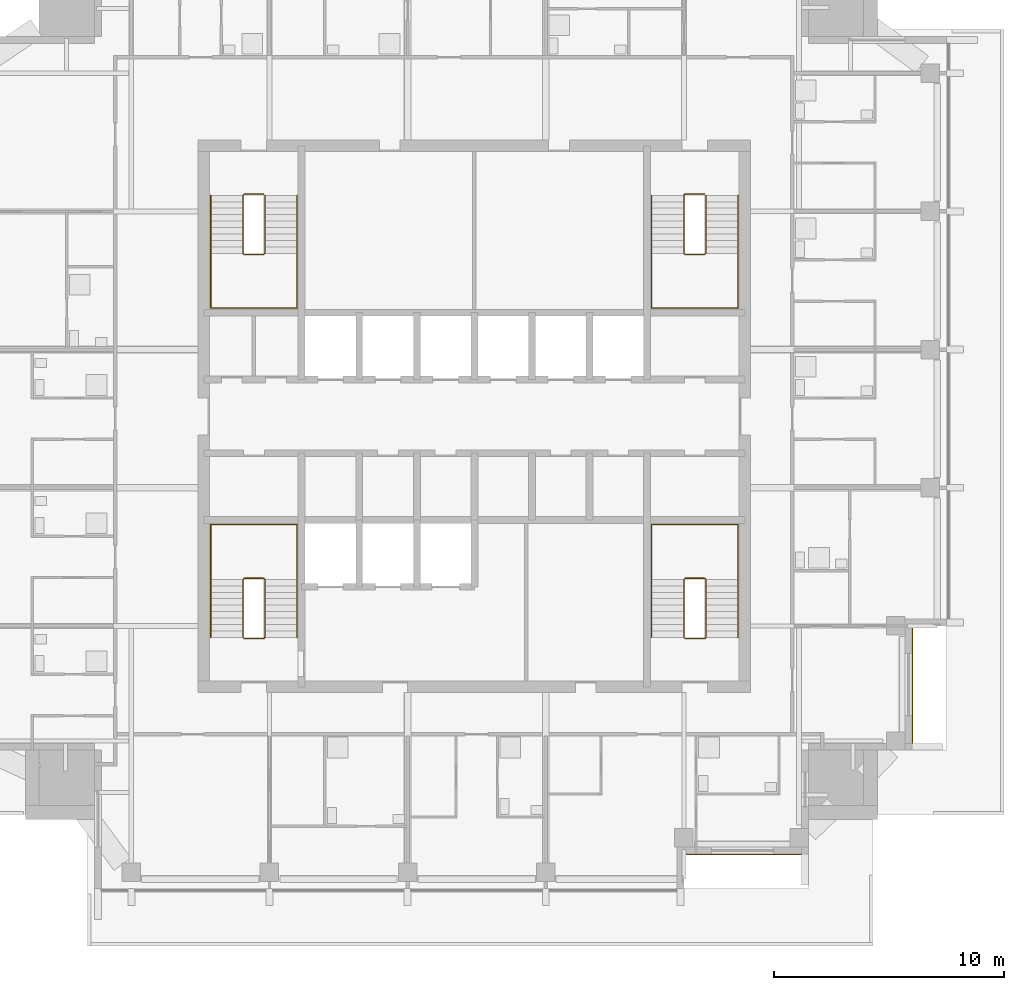
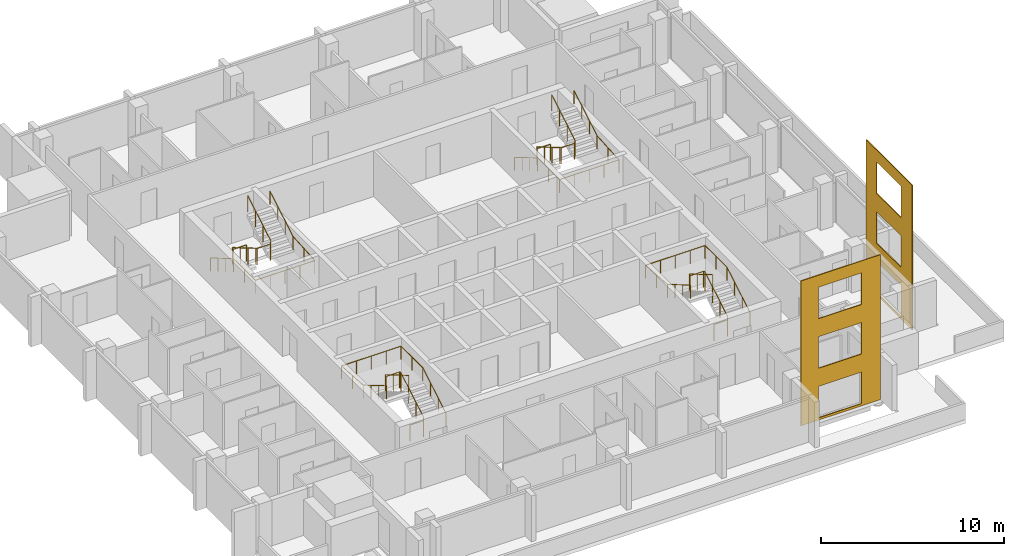
# One storey, part 10 of 11: 8 railings, 2 coverings.
"""IFC4 building model written with IfcOpenShell, lengths in metres."""

from ifc_helpers import new_model, si_unit, direction, frame, origin, origin_2d, place, context, subcontext, project, spatial, polyline, circle, outline, extrude, material, layer, layer_set, type_object, element, save


model = new_model("IFC4")

# Units and contexts
model_context = context("Model", 3, precision=1e-05, world=origin(), true_north=direction((0.0, 1.0)))
body_context = subcontext(model_context, "Body", "Model", "MODEL_VIEW")
ifc_project = project(units=[si_unit("LENGTHUNIT", "METRE"), si_unit("AREAUNIT", "SQUARE_METRE"), si_unit("VOLUMEUNIT", "CUBIC_METRE"), si_unit("PLANEANGLEUNIT", "RADIAN"), si_unit("MASSUNIT", "GRAM", prefix="KILO")], contexts=[model_context])

# Site, building, storey
site_placement = place(None, origin())
site = spatial("IfcSite", under=ifc_project, at=site_placement, CompositionType="ELEMENT")
building_placement = place(site_placement, origin())
building = spatial("IfcBuilding", under=site, at=building_placement, Name="Amberfall Residences", CompositionType="ELEMENT")
storey_placement = place(building_placement, frame((0.0, 0.0, 238.89990234375)))
storey = spatial("IfcBuildingStorey", under=building, at=storey_placement, Name="L63", CompositionType="ELEMENT", Elevation=238.89990234375)

# Coverings
ifc_material_1 = material(Name="Pale limestone cladding", Category="masonry")
ifc_layer = layer(ifc_material_1, 0.050048828125)
ifc_layer_set = layer_set([ifc_layer], Name="Limestone fascia 50")
covering_type = type_object("IfcCoveringType", Name="Limestone fascia 50", PredefinedType="CLADDING", material=ifc_layer_set)
covering_1_placement = place(storey_placement, frame((83.68994140625, 26.5, 9.650146484375), z_axis=(0.0, 1.0, 0.0), x_axis=(1.0, 0.0, 0.0)))
element("IfcCovering", 1, at=covering_1_placement, inside=storey, type_object=covering_type, Name="Pale limestone cladding L63-L65 S", PredefinedType="CLADDING", context=body_context, shape_type="SweptSolid", body=[
    extrude(outline(polyline([(0.0, 0.0), (5.010009765625, 0.0), (5.010009765625, 9.650146484375), (0.0, 9.650146484375), (0.0, 0.0)]), holes=[polyline([(1.110107421875, 7.400146484375), (3.81005859375, 7.400146484375), (3.81005859375, 9.5), (1.110107421875, 9.5), (1.110107421875, 7.400146484375)]), polyline([(1.110107421875, 4.10009765625), (3.81005859375, 4.10009765625), (3.81005859375, 6.199951171875), (1.110107421875, 6.199951171875), (1.110107421875, 4.10009765625)]), polyline([(1.110107421875, 0.800048828125), (3.81005859375, 0.800048828125), (3.81005859375, 2.900146484375), (1.110107421875, 2.900146484375), (1.110107421875, 0.800048828125)])]), origin(), (0.0, 0.0, -1.0), 0.050048828125),
])
covering_2_placement = place(storey_placement, frame((93.5, 31.300048828125, 9.650146484375), z_axis=(-1.0, 0.0, 0.0), x_axis=(0.0, 1.0, 0.0)))
element("IfcCovering", 2, at=covering_2_placement, inside=storey, type_object=covering_type, Name="Pale limestone cladding L63-L65 E", PredefinedType="CLADDING", context=body_context, shape_type="SweptSolid", body=[
    extrude(outline(polyline([(0.0, 0.0), (5.010009765625, 0.0), (5.010009765625, 9.650146484375), (0.0, 9.650146484375), (0.0, 0.0)]), holes=[polyline([(1.199951171875, 7.400146484375), (3.89990234375, 7.400146484375), (3.89990234375, 9.5), (1.199951171875, 9.5), (1.199951171875, 7.400146484375)]), polyline([(1.199951171875, 4.10009765625), (3.89990234375, 4.10009765625), (3.89990234375, 6.199951171875), (1.199951171875, 6.199951171875), (1.199951171875, 4.10009765625)]), polyline([(1.199951171875, 0.800048828125), (3.89990234375, 0.800048828125), (3.89990234375, 2.900146484375), (1.199951171875, 2.900146484375), (1.199951171875, 0.800048828125)])]), origin(), (0.0, 0.0, -1.0), 0.050048828125),
])

# Railings
ifc_material_2 = material(Name="Stainless steel 316", Category="steel")
railing_type_1 = type_object("IfcRailingType", Name="Stair guard 1100", PredefinedType="GUARDRAIL", material=ifc_material_2)
railing_1_placement = place(storey_placement, frame((64.5, 35.85009765625, 0.0)))
element("IfcRailing", 3, at=railing_1_placement, inside=storey, type_object=railing_type_1, Name="L63 stair 1 guard", PredefinedType="GUARDRAIL", context=body_context, shape_type="SweptSolid", body=[
    extrude(circle(Radius=0.02392578125, at=origin_2d()), frame((0.0, 0.0, 1.076171875), z_axis=(1.0, 0.0, 0.0), x_axis=(0.0, 1.0, 0.0)), (0.0, 0.0, 1.0), 0.85009765625),
    extrude(circle(Radius=0.02392578125, at=origin_2d()), frame((0.85009765625, 0.0, 1.076171875), z_axis=(0.27755538755, 0.27755538755, 0.919742362667), x_axis=(-0.707106781187, 0.707106781187, 0.0)), (0.0, 0.0, 1.0), 0.179443359375),
    extrude(circle(Radius=0.02392578125, at=origin_2d()), frame((0.89990234375, 0.0498046875, 1.2412109375), z_axis=(0.0, 0.86152411907, 0.507716645641), x_axis=(-1.0, 0.0, 0.0)), (0.0, 0.0, 1.0), 2.925048828125),
    extrude(circle(Radius=0.02392578125, at=origin_2d()), frame((0.89990234375, 2.56982421875, 2.72607421875), z_axis=(-0.705375805398, 0.708833529934, 0.0), x_axis=(-0.708833529934, -0.705375805398, 0.0)), (0.0, 0.0, 1.0), 0.070556640625),
    extrude(circle(Radius=0.02392578125, at=origin_2d()), frame((0.85009765625, 2.619873046875, 2.72607421875), z_axis=(-1.0, 0.0, 0.0), x_axis=(0.0, -1.0, 0.0)), (0.0, 0.0, 1.0), 0.85009765625),
    extrude(circle(Radius=0.02392578125, at=origin_2d()), frame((0.0, 2.619873046875, 2.72607421875), z_axis=(-0.278705021027, -0.278705021027, 0.919046801044), x_axis=(0.707106781187, -0.707106781187, 0.0)), (0.0, 0.0, 1.0), 0.1796875),
    extrude(circle(Radius=0.02392578125, at=origin_2d()), frame((-0.050048828125, 2.56982421875, 2.89111328125), z_axis=(0.0, -0.861560626758, 0.507654692109), x_axis=(1.0, 0.0, 0.0)), (0.0, 0.0, 1.0), 2.925048828125),
    extrude(circle(Radius=0.02099609375, at=origin_2d()), origin(), (0.0, 0.0, 1.0), 1.052001953125),
    extrude(circle(Radius=0.02099609375, at=origin_2d()), frame((0.85009765625, 0.0, 0.0)), (0.0, 0.0, 1.0), 1.052001953125),
    extrude(circle(Radius=0.02099609375, at=origin_2d()), frame((0.89990234375, 0.0498046875, 0.1650390625)), (0.0, 0.0, 1.0), 1.052001953125),
    extrude(circle(Radius=0.02099609375, at=origin_2d()), frame((0.89990234375, 0.889892578125, 0.66015625)), (0.0, 0.0, 1.0), 1.052001953125),
    extrude(circle(Radius=0.02099609375, at=origin_2d()), frame((0.89990234375, 1.729736328125, 1.155029296875)), (0.0, 0.0, 1.0), 1.052001953125),
    extrude(circle(Radius=0.02099609375, at=origin_2d()), frame((0.89990234375, 2.56982421875, 1.650146484375)), (0.0, 0.0, 1.0), 1.052001953125),
    extrude(circle(Radius=0.02099609375, at=origin_2d()), frame((0.85009765625, 2.619873046875, 1.650146484375)), (0.0, 0.0, 1.0), 1.052001953125),
    extrude(circle(Radius=0.02099609375, at=origin_2d()), frame((0.0, 2.619873046875, 1.650146484375)), (0.0, 0.0, 1.0), 1.052001953125),
    extrude(circle(Radius=0.02099609375, at=origin_2d()), frame((-0.050048828125, 2.56982421875, 1.815185546875)), (0.0, 0.0, 1.0), 1.052001953125),
    extrude(circle(Radius=0.02099609375, at=origin_2d()), frame((-0.050048828125, 1.729736328125, 2.31005859375)), (0.0, 0.0, 1.0), 1.052001953125),
    extrude(circle(Radius=0.02099609375, at=origin_2d()), frame((-0.050048828125, 0.889892578125, 2.80517578125)), (0.0, 0.0, 1.0), 1.052001953125),
    extrude(circle(Radius=0.02099609375, at=origin_2d()), frame((-0.050048828125, 0.0498046875, 3.300048828125)), (0.0, 0.0, 1.0), 1.052001953125),
])
railing_2_placement = place(storey_placement, frame((83.64990234375, 35.85009765625, 0.0)))
element("IfcRailing", 4, at=railing_2_placement, inside=storey, type_object=railing_type_1, Name="L63 stair 2 guard", PredefinedType="GUARDRAIL", context=body_context, shape_type="SweptSolid", body=[
    extrude(circle(Radius=0.02392578125, at=origin_2d()), frame((0.0, 0.0, 1.076171875), z_axis=(1.0, 0.0, 0.0), x_axis=(0.0, 1.0, 0.0)), (0.0, 0.0, 1.0), 0.85009765625),
    extrude(circle(Radius=0.02392578125, at=origin_2d()), frame((0.85009765625, 0.0, 1.076171875), z_axis=(0.278810427259, 0.277450376394, 0.919394384522), x_axis=(-0.705375805398, 0.708833529934, 0.0)), (0.0, 0.0, 1.0), 0.179443359375),
    extrude(circle(Radius=0.02392578125, at=origin_2d()), frame((0.900146484375, 0.0498046875, 1.2412109375), z_axis=(0.0, 0.86152411907, 0.507716645641), x_axis=(-1.0, 0.0, 0.0)), (0.0, 0.0, 1.0), 2.925048828125),
    extrude(circle(Radius=0.02392578125, at=origin_2d()), frame((0.900146484375, 2.56982421875, 2.72607421875), z_axis=(-0.707106781187, 0.707106781187, 0.0), x_axis=(-0.707106781187, -0.707106781187, 0.0)), (0.0, 0.0, 1.0), 0.07080078125),
    extrude(circle(Radius=0.02392578125, at=origin_2d()), frame((0.85009765625, 2.619873046875, 2.72607421875), z_axis=(-1.0, 0.0, 0.0), x_axis=(0.0, -1.0, 0.0)), (0.0, 0.0, 1.0), 0.85009765625),
    extrude(circle(Radius=0.02392578125, at=origin_2d()), frame((0.0, 2.619873046875, 2.72607421875), z_axis=(-0.277450376394, -0.278810427259, 0.919394384522), x_axis=(0.708833529934, -0.705375805398, 0.0)), (0.0, 0.0, 1.0), 0.179443359375),
    extrude(circle(Radius=0.02392578125, at=origin_2d()), frame((-0.0498046875, 2.56982421875, 2.89111328125), z_axis=(0.0, -0.861560626758, 0.507654692109), x_axis=(1.0, 0.0, 0.0)), (0.0, 0.0, 1.0), 2.925048828125),
    extrude(circle(Radius=0.02099609375, at=origin_2d()), origin(), (0.0, 0.0, 1.0), 1.052001953125),
    extrude(circle(Radius=0.02099609375, at=origin_2d()), frame((0.85009765625, 0.0, 0.0)), (0.0, 0.0, 1.0), 1.052001953125),
    extrude(circle(Radius=0.02099609375, at=origin_2d()), frame((0.900146484375, 0.0498046875, 0.1650390625)), (0.0, 0.0, 1.0), 1.052001953125),
    extrude(circle(Radius=0.02099609375, at=origin_2d()), frame((0.900146484375, 0.889892578125, 0.66015625)), (0.0, 0.0, 1.0), 1.052001953125),
    extrude(circle(Radius=0.02099609375, at=origin_2d()), frame((0.900146484375, 1.729736328125, 1.155029296875)), (0.0, 0.0, 1.0), 1.052001953125),
    extrude(circle(Radius=0.02099609375, at=origin_2d()), frame((0.900146484375, 2.56982421875, 1.650146484375)), (0.0, 0.0, 1.0), 1.052001953125),
    extrude(circle(Radius=0.02099609375, at=origin_2d()), frame((0.85009765625, 2.619873046875, 1.650146484375)), (0.0, 0.0, 1.0), 1.052001953125),
    extrude(circle(Radius=0.02099609375, at=origin_2d()), frame((0.0, 2.619873046875, 1.650146484375)), (0.0, 0.0, 1.0), 1.052001953125),
    extrude(circle(Radius=0.02099609375, at=origin_2d()), frame((-0.0498046875, 2.56982421875, 1.815185546875)), (0.0, 0.0, 1.0), 1.052001953125),
    extrude(circle(Radius=0.02099609375, at=origin_2d()), frame((-0.0498046875, 1.729736328125, 2.31005859375)), (0.0, 0.0, 1.0), 1.052001953125),
    extrude(circle(Radius=0.02099609375, at=origin_2d()), frame((-0.0498046875, 0.889892578125, 2.80517578125)), (0.0, 0.0, 1.0), 1.052001953125),
    extrude(circle(Radius=0.02099609375, at=origin_2d()), frame((-0.0498046875, 0.0498046875, 3.300048828125)), (0.0, 0.0, 1.0), 1.052001953125),
])
railing_3_placement = place(storey_placement, frame((84.5, 55.14990234375, 0.0)))
element("IfcRailing", 5, at=railing_3_placement, inside=storey, type_object=railing_type_1, Name="L63 stair 3 guard", PredefinedType="GUARDRAIL", context=body_context, shape_type="SweptSolid", body=[
    extrude(circle(Radius=0.02392578125, at=origin_2d()), frame((0.0, 0.0, 1.076171875), z_axis=(-1.0, 0.0, 0.0), x_axis=(0.0, -1.0, 0.0)), (0.0, 0.0, 1.0), 0.85009765625),
    extrude(circle(Radius=0.02392578125, at=origin_2d()), frame((-0.85009765625, 0.0, 1.076171875), z_axis=(-0.27755538755, -0.27755538755, 0.919742362667), x_axis=(0.707106781187, -0.707106781187, 0.0)), (0.0, 0.0, 1.0), 0.179443359375),
    extrude(circle(Radius=0.02392578125, at=origin_2d()), frame((-0.89990234375, -0.0498046875, 1.2412109375), z_axis=(0.0, -0.86152411907, 0.507716645641), x_axis=(1.0, 0.0, 0.0)), (0.0, 0.0, 1.0), 2.925048828125),
    extrude(circle(Radius=0.02392578125, at=origin_2d()), frame((-0.89990234375, -2.56982421875, 2.72607421875), z_axis=(0.705375805398, -0.708833529934, 0.0), x_axis=(0.708833529934, 0.705375805398, 0.0)), (0.0, 0.0, 1.0), 0.070556640625),
    extrude(circle(Radius=0.02392578125, at=origin_2d()), frame((-0.85009765625, -2.619873046875, 2.72607421875), z_axis=(1.0, 0.0, 0.0), x_axis=(0.0, 1.0, 0.0)), (0.0, 0.0, 1.0), 0.85009765625),
    extrude(circle(Radius=0.02392578125, at=origin_2d()), frame((0.0, -2.619873046875, 2.72607421875), z_axis=(0.278705021027, 0.278705021027, 0.919046801044), x_axis=(-0.707106781187, 0.707106781187, 0.0)), (0.0, 0.0, 1.0), 0.1796875),
    extrude(circle(Radius=0.02392578125, at=origin_2d()), frame((0.050048828125, -2.56982421875, 2.89111328125), z_axis=(0.0, 0.861560626758, 0.507654692109), x_axis=(-1.0, 0.0, 0.0)), (0.0, 0.0, 1.0), 2.925048828125),
    extrude(circle(Radius=0.02099609375, at=origin_2d()), origin(), (0.0, 0.0, 1.0), 1.052001953125),
    extrude(circle(Radius=0.02099609375, at=origin_2d()), frame((-0.85009765625, 0.0, 0.0)), (0.0, 0.0, 1.0), 1.052001953125),
    extrude(circle(Radius=0.02099609375, at=origin_2d()), frame((-0.89990234375, -0.0498046875, 0.1650390625)), (0.0, 0.0, 1.0), 1.052001953125),
    extrude(circle(Radius=0.02099609375, at=origin_2d()), frame((-0.89990234375, -0.889892578125, 0.66015625)), (0.0, 0.0, 1.0), 1.052001953125),
    extrude(circle(Radius=0.02099609375, at=origin_2d()), frame((-0.89990234375, -1.729736328125, 1.155029296875)), (0.0, 0.0, 1.0), 1.052001953125),
    extrude(circle(Radius=0.02099609375, at=origin_2d()), frame((-0.89990234375, -2.56982421875, 1.650146484375)), (0.0, 0.0, 1.0), 1.052001953125),
    extrude(circle(Radius=0.02099609375, at=origin_2d()), frame((-0.85009765625, -2.619873046875, 1.650146484375)), (0.0, 0.0, 1.0), 1.052001953125),
    extrude(circle(Radius=0.02099609375, at=origin_2d()), frame((0.0, -2.619873046875, 1.650146484375)), (0.0, 0.0, 1.0), 1.052001953125),
    extrude(circle(Radius=0.02099609375, at=origin_2d()), frame((0.050048828125, -2.56982421875, 1.815185546875)), (0.0, 0.0, 1.0), 1.052001953125),
    extrude(circle(Radius=0.02099609375, at=origin_2d()), frame((0.050048828125, -1.729736328125, 2.31005859375)), (0.0, 0.0, 1.0), 1.052001953125),
    extrude(circle(Radius=0.02099609375, at=origin_2d()), frame((0.050048828125, -0.889892578125, 2.80517578125)), (0.0, 0.0, 1.0), 1.052001953125),
    extrude(circle(Radius=0.02099609375, at=origin_2d()), frame((0.050048828125, -0.0498046875, 3.300048828125)), (0.0, 0.0, 1.0), 1.052001953125),
])
railing_4_placement = place(storey_placement, frame((65.35009765625, 55.14990234375, 0.0)))
element("IfcRailing", 6, at=railing_4_placement, inside=storey, type_object=railing_type_1, Name="L63 stair 4 guard", PredefinedType="GUARDRAIL", context=body_context, shape_type="SweptSolid", body=[
    extrude(circle(Radius=0.02392578125, at=origin_2d()), frame((0.0, 0.0, 1.076171875), z_axis=(-1.0, 0.0, 0.0), x_axis=(0.0, -1.0, 0.0)), (0.0, 0.0, 1.0), 0.85009765625),
    extrude(circle(Radius=0.02392578125, at=origin_2d()), frame((-0.85009765625, 0.0, 1.076171875), z_axis=(-0.278810427259, -0.277450376394, 0.919394384522), x_axis=(0.705375805398, -0.708833529934, 0.0)), (0.0, 0.0, 1.0), 0.179443359375),
    extrude(circle(Radius=0.02392578125, at=origin_2d()), frame((-0.900146484375, -0.0498046875, 1.2412109375), z_axis=(0.0, -0.86152411907, 0.507716645641), x_axis=(1.0, 0.0, 0.0)), (0.0, 0.0, 1.0), 2.925048828125),
    extrude(circle(Radius=0.02392578125, at=origin_2d()), frame((-0.900146484375, -2.56982421875, 2.72607421875), z_axis=(0.707106781187, -0.707106781187, 0.0), x_axis=(0.707106781187, 0.707106781187, 0.0)), (0.0, 0.0, 1.0), 0.07080078125),
    extrude(circle(Radius=0.02392578125, at=origin_2d()), frame((-0.85009765625, -2.619873046875, 2.72607421875), z_axis=(1.0, 0.0, 0.0), x_axis=(0.0, 1.0, 0.0)), (0.0, 0.0, 1.0), 0.85009765625),
    extrude(circle(Radius=0.02392578125, at=origin_2d()), frame((0.0, -2.619873046875, 2.72607421875), z_axis=(0.277450376394, 0.278810427259, 0.919394384522), x_axis=(-0.708833529934, 0.705375805398, 0.0)), (0.0, 0.0, 1.0), 0.179443359375),
    extrude(circle(Radius=0.02392578125, at=origin_2d()), frame((0.0498046875, -2.56982421875, 2.89111328125), z_axis=(0.0, 0.861560626758, 0.507654692109), x_axis=(-1.0, 0.0, 0.0)), (0.0, 0.0, 1.0), 2.925048828125),
    extrude(circle(Radius=0.02099609375, at=origin_2d()), origin(), (0.0, 0.0, 1.0), 1.052001953125),
    extrude(circle(Radius=0.02099609375, at=origin_2d()), frame((-0.85009765625, 0.0, 0.0)), (0.0, 0.0, 1.0), 1.052001953125),
    extrude(circle(Radius=0.02099609375, at=origin_2d()), frame((-0.900146484375, -0.0498046875, 0.1650390625)), (0.0, 0.0, 1.0), 1.052001953125),
    extrude(circle(Radius=0.02099609375, at=origin_2d()), frame((-0.900146484375, -0.889892578125, 0.66015625)), (0.0, 0.0, 1.0), 1.052001953125),
    extrude(circle(Radius=0.02099609375, at=origin_2d()), frame((-0.900146484375, -1.729736328125, 1.155029296875)), (0.0, 0.0, 1.0), 1.052001953125),
    extrude(circle(Radius=0.02099609375, at=origin_2d()), frame((-0.900146484375, -2.56982421875, 1.650146484375)), (0.0, 0.0, 1.0), 1.052001953125),
    extrude(circle(Radius=0.02099609375, at=origin_2d()), frame((-0.85009765625, -2.619873046875, 1.650146484375)), (0.0, 0.0, 1.0), 1.052001953125),
    extrude(circle(Radius=0.02099609375, at=origin_2d()), frame((0.0, -2.619873046875, 1.650146484375)), (0.0, 0.0, 1.0), 1.052001953125),
    extrude(circle(Radius=0.02099609375, at=origin_2d()), frame((0.0498046875, -2.56982421875, 1.815185546875)), (0.0, 0.0, 1.0), 1.052001953125),
    extrude(circle(Radius=0.02099609375, at=origin_2d()), frame((0.0498046875, -1.729736328125, 2.31005859375)), (0.0, 0.0, 1.0), 1.052001953125),
    extrude(circle(Radius=0.02099609375, at=origin_2d()), frame((0.0498046875, -0.889892578125, 2.80517578125)), (0.0, 0.0, 1.0), 1.052001953125),
    extrude(circle(Radius=0.02099609375, at=origin_2d()), frame((0.0498046875, -0.0498046875, 3.300048828125)), (0.0, 0.0, 1.0), 1.052001953125),
])
railing_type_2 = type_object("IfcRailingType", Name="Stair handrail 900", PredefinedType="HANDRAIL", material=ifc_material_2)
railing_5_placement = place(storey_placement, frame((66.800048828125, 35.89990234375, 0.1650390625)))
element("IfcRailing", 7, at=railing_5_placement, inside=storey, type_object=railing_type_2, Name="L63 stair 1 handrail", PredefinedType="HANDRAIL", context=body_context, shape_type="SweptSolid", body=[
    extrude(circle(Radius=0.02392578125, at=origin_2d()), frame((0.0, 0.0, 0.8759765625), z_axis=(0.0, 0.86152411907, 0.507716645641), x_axis=(-1.0, 0.0, 0.0)), (0.0, 0.0, 1.0), 2.925048828125),
    extrude(circle(Radius=0.02392578125, at=origin_2d()), frame((0.0, 2.52001953125, 2.36083984375), z_axis=(0.0, 1.0, 0.0), x_axis=(-1.0, 0.0, 0.0)), (0.0, 0.0, 1.0), 2.380126953125),
    extrude(circle(Radius=0.02392578125, at=origin_2d()), frame((0.0, 4.900146484375, 2.36083984375), z_axis=(-1.0, 0.0, 0.0), x_axis=(0.0, -1.0, 0.0)), (0.0, 0.0, 1.0), 3.75),
    extrude(circle(Radius=0.02392578125, at=origin_2d()), frame((-3.75, 4.900146484375, 2.36083984375), z_axis=(0.0, -0.997604585917, 0.069174346095), x_axis=(1.0, 0.0, 0.0)), (0.0, 0.0, 1.0), 2.3857421875),
    extrude(circle(Radius=0.02392578125, at=origin_2d()), frame((-3.75, 2.52001953125, 2.52587890625), z_axis=(0.0, -0.861560626758, 0.507654692109), x_axis=(1.0, 0.0, 0.0)), (0.0, 0.0, 1.0), 2.925048828125),
    extrude(circle(Radius=0.02099609375, at=origin_2d()), origin(), (0.0, 0.0, 1.0), 0.851806640625),
    extrude(circle(Radius=0.02099609375, at=origin_2d()), frame((0.0, 0.840087890625, 0.4951171875)), (0.0, 0.0, 1.0), 0.851806640625),
    extrude(circle(Radius=0.02099609375, at=origin_2d()), frame((0.0, 1.679931640625, 0.989990234375)), (0.0, 0.0, 1.0), 0.851806640625),
    extrude(circle(Radius=0.02099609375, at=origin_2d()), frame((0.0, 2.52001953125, 1.485107421875)), (0.0, 0.0, 1.0), 0.851806640625),
    extrude(circle(Radius=0.02099609375, at=origin_2d()), frame((0.0, 3.7099609375, 1.485107421875)), (0.0, 0.0, 1.0), 0.851806640625),
    extrude(circle(Radius=0.02099609375, at=origin_2d()), frame((0.0, 4.900146484375, 1.485107421875)), (0.0, 0.0, 1.0), 0.851806640625),
    extrude(circle(Radius=0.02099609375, at=origin_2d()), frame((-0.9375, 4.900146484375, 1.485107421875)), (0.0, 0.0, 1.0), 0.851806640625),
    extrude(circle(Radius=0.02099609375, at=origin_2d()), frame((-1.875, 4.900146484375, 1.485107421875)), (0.0, 0.0, 1.0), 0.851806640625),
    extrude(circle(Radius=0.02099609375, at=origin_2d()), frame((-2.8125, 4.900146484375, 1.485107421875)), (0.0, 0.0, 1.0), 0.851806640625),
    extrude(circle(Radius=0.02099609375, at=origin_2d()), frame((-3.75, 4.900146484375, 1.485107421875)), (0.0, 0.0, 1.0), 0.851806640625),
    extrude(circle(Radius=0.02099609375, at=origin_2d()), frame((-3.75, 3.7099609375, 1.567626953125)), (0.0, 0.0, 1.0), 0.851806640625),
    extrude(circle(Radius=0.02099609375, at=origin_2d()), frame((-3.75, 2.52001953125, 1.650146484375)), (0.0, 0.0, 1.0), 0.851806640625),
    extrude(circle(Radius=0.02099609375, at=origin_2d()), frame((-3.75, 1.679931640625, 2.14501953125)), (0.0, 0.0, 1.0), 0.851806640625),
    extrude(circle(Radius=0.02099609375, at=origin_2d()), frame((-3.75, 0.840087890625, 2.64013671875)), (0.0, 0.0, 1.0), 0.851806640625),
    extrude(circle(Radius=0.02099609375, at=origin_2d()), frame((-3.75, 0.0, 3.135009765625)), (0.0, 0.0, 1.0), 0.851806640625),
])
railing_6_placement = place(storey_placement, frame((85.949951171875, 35.89990234375, 0.1650390625)))
element("IfcRailing", 8, at=railing_6_placement, inside=storey, type_object=railing_type_2, Name="L63 stair 2 handrail", PredefinedType="HANDRAIL", context=body_context, shape_type="SweptSolid", body=[
    extrude(circle(Radius=0.02392578125, at=origin_2d()), frame((0.0, 0.0, 0.8759765625), z_axis=(0.0, 0.86152411907, 0.507716645641), x_axis=(-1.0, 0.0, 0.0)), (0.0, 0.0, 1.0), 2.925048828125),
    extrude(circle(Radius=0.02392578125, at=origin_2d()), frame((0.0, 2.52001953125, 2.36083984375), z_axis=(0.0, 1.0, 0.0), x_axis=(-1.0, 0.0, 0.0)), (0.0, 0.0, 1.0), 2.380126953125),
    extrude(circle(Radius=0.02392578125, at=origin_2d()), frame((0.0, 4.900146484375, 2.36083984375), z_axis=(-1.0, 0.0, 0.0), x_axis=(0.0, -1.0, 0.0)), (0.0, 0.0, 1.0), 3.75),
    extrude(circle(Radius=0.02392578125, at=origin_2d()), frame((-3.75, 4.900146484375, 2.36083984375), z_axis=(0.0, -0.997604585917, 0.069174346095), x_axis=(1.0, 0.0, 0.0)), (0.0, 0.0, 1.0), 2.3857421875),
    extrude(circle(Radius=0.02392578125, at=origin_2d()), frame((-3.75, 2.52001953125, 2.52587890625), z_axis=(0.0, -0.861560626758, 0.507654692109), x_axis=(1.0, 0.0, 0.0)), (0.0, 0.0, 1.0), 2.925048828125),
    extrude(circle(Radius=0.02099609375, at=origin_2d()), origin(), (0.0, 0.0, 1.0), 0.851806640625),
    extrude(circle(Radius=0.02099609375, at=origin_2d()), frame((0.0, 0.840087890625, 0.4951171875)), (0.0, 0.0, 1.0), 0.851806640625),
    extrude(circle(Radius=0.02099609375, at=origin_2d()), frame((0.0, 1.679931640625, 0.989990234375)), (0.0, 0.0, 1.0), 0.851806640625),
    extrude(circle(Radius=0.02099609375, at=origin_2d()), frame((0.0, 2.52001953125, 1.485107421875)), (0.0, 0.0, 1.0), 0.851806640625),
    extrude(circle(Radius=0.02099609375, at=origin_2d()), frame((0.0, 3.7099609375, 1.485107421875)), (0.0, 0.0, 1.0), 0.851806640625),
    extrude(circle(Radius=0.02099609375, at=origin_2d()), frame((0.0, 4.900146484375, 1.485107421875)), (0.0, 0.0, 1.0), 0.851806640625),
    extrude(circle(Radius=0.02099609375, at=origin_2d()), frame((-0.9375, 4.900146484375, 1.485107421875)), (0.0, 0.0, 1.0), 0.851806640625),
    extrude(circle(Radius=0.02099609375, at=origin_2d()), frame((-1.875, 4.900146484375, 1.485107421875)), (0.0, 0.0, 1.0), 0.851806640625),
    extrude(circle(Radius=0.02099609375, at=origin_2d()), frame((-2.8125, 4.900146484375, 1.485107421875)), (0.0, 0.0, 1.0), 0.851806640625),
    extrude(circle(Radius=0.02099609375, at=origin_2d()), frame((-3.75, 4.900146484375, 1.485107421875)), (0.0, 0.0, 1.0), 0.851806640625),
    extrude(circle(Radius=0.02099609375, at=origin_2d()), frame((-3.75, 3.7099609375, 1.567626953125)), (0.0, 0.0, 1.0), 0.851806640625),
    extrude(circle(Radius=0.02099609375, at=origin_2d()), frame((-3.75, 2.52001953125, 1.650146484375)), (0.0, 0.0, 1.0), 0.851806640625),
    extrude(circle(Radius=0.02099609375, at=origin_2d()), frame((-3.75, 1.679931640625, 2.14501953125)), (0.0, 0.0, 1.0), 0.851806640625),
    extrude(circle(Radius=0.02099609375, at=origin_2d()), frame((-3.75, 0.840087890625, 2.64013671875)), (0.0, 0.0, 1.0), 0.851806640625),
    extrude(circle(Radius=0.02099609375, at=origin_2d()), frame((-3.75, 0.0, 3.135009765625)), (0.0, 0.0, 1.0), 0.851806640625),
])
railing_7_placement = place(storey_placement, frame((82.199951171875, 55.10009765625, 0.1650390625)))
element("IfcRailing", 9, at=railing_7_placement, inside=storey, type_object=railing_type_2, Name="L63 stair 3 handrail", PredefinedType="HANDRAIL", context=body_context, shape_type="SweptSolid", body=[
    extrude(circle(Radius=0.02392578125, at=origin_2d()), frame((0.0, 0.0, 0.8759765625), z_axis=(0.0, -0.86152411907, 0.507716645641), x_axis=(1.0, 0.0, 0.0)), (0.0, 0.0, 1.0), 2.925048828125),
    extrude(circle(Radius=0.02392578125, at=origin_2d()), frame((0.0, -2.52001953125, 2.36083984375), z_axis=(0.0, -1.0, 0.0), x_axis=(1.0, 0.0, 0.0)), (0.0, 0.0, 1.0), 2.380126953125),
    extrude(circle(Radius=0.02392578125, at=origin_2d()), frame((0.0, -4.900146484375, 2.36083984375), z_axis=(1.0, 0.0, 0.0), x_axis=(0.0, 1.0, 0.0)), (0.0, 0.0, 1.0), 3.75),
    extrude(circle(Radius=0.02392578125, at=origin_2d()), frame((3.75, -4.900146484375, 2.36083984375), z_axis=(0.0, 0.997604585917, 0.069174346095), x_axis=(-1.0, 0.0, 0.0)), (0.0, 0.0, 1.0), 2.3857421875),
    extrude(circle(Radius=0.02392578125, at=origin_2d()), frame((3.75, -2.52001953125, 2.52587890625), z_axis=(0.0, 0.861560626758, 0.507654692109), x_axis=(-1.0, 0.0, 0.0)), (0.0, 0.0, 1.0), 2.925048828125),
    extrude(circle(Radius=0.02099609375, at=origin_2d()), origin(), (0.0, 0.0, 1.0), 0.851806640625),
    extrude(circle(Radius=0.02099609375, at=origin_2d()), frame((0.0, -0.840087890625, 0.4951171875)), (0.0, 0.0, 1.0), 0.851806640625),
    extrude(circle(Radius=0.02099609375, at=origin_2d()), frame((0.0, -1.679931640625, 0.989990234375)), (0.0, 0.0, 1.0), 0.851806640625),
    extrude(circle(Radius=0.02099609375, at=origin_2d()), frame((0.0, -2.52001953125, 1.485107421875)), (0.0, 0.0, 1.0), 0.851806640625),
    extrude(circle(Radius=0.02099609375, at=origin_2d()), frame((0.0, -3.7099609375, 1.485107421875)), (0.0, 0.0, 1.0), 0.851806640625),
    extrude(circle(Radius=0.02099609375, at=origin_2d()), frame((0.0, -4.900146484375, 1.485107421875)), (0.0, 0.0, 1.0), 0.851806640625),
    extrude(circle(Radius=0.02099609375, at=origin_2d()), frame((0.9375, -4.900146484375, 1.485107421875)), (0.0, 0.0, 1.0), 0.851806640625),
    extrude(circle(Radius=0.02099609375, at=origin_2d()), frame((1.875, -4.900146484375, 1.485107421875)), (0.0, 0.0, 1.0), 0.851806640625),
    extrude(circle(Radius=0.02099609375, at=origin_2d()), frame((2.8125, -4.900146484375, 1.485107421875)), (0.0, 0.0, 1.0), 0.851806640625),
    extrude(circle(Radius=0.02099609375, at=origin_2d()), frame((3.75, -4.900146484375, 1.485107421875)), (0.0, 0.0, 1.0), 0.851806640625),
    extrude(circle(Radius=0.02099609375, at=origin_2d()), frame((3.75, -3.7099609375, 1.567626953125)), (0.0, 0.0, 1.0), 0.851806640625),
    extrude(circle(Radius=0.02099609375, at=origin_2d()), frame((3.75, -2.52001953125, 1.650146484375)), (0.0, 0.0, 1.0), 0.851806640625),
    extrude(circle(Radius=0.02099609375, at=origin_2d()), frame((3.75, -1.679931640625, 2.14501953125)), (0.0, 0.0, 1.0), 0.851806640625),
    extrude(circle(Radius=0.02099609375, at=origin_2d()), frame((3.75, -0.840087890625, 2.64013671875)), (0.0, 0.0, 1.0), 0.851806640625),
    extrude(circle(Radius=0.02099609375, at=origin_2d()), frame((3.75, 0.0, 3.135009765625)), (0.0, 0.0, 1.0), 0.851806640625),
])
railing_8_placement = place(storey_placement, frame((63.050048828125, 55.10009765625, 0.1650390625)))
element("IfcRailing", 10, at=railing_8_placement, inside=storey, type_object=railing_type_2, Name="L63 stair 4 handrail", PredefinedType="HANDRAIL", context=body_context, shape_type="SweptSolid", body=[
    extrude(circle(Radius=0.02392578125, at=origin_2d()), frame((0.0, 0.0, 0.8759765625), z_axis=(0.0, -0.86152411907, 0.507716645641), x_axis=(1.0, 0.0, 0.0)), (0.0, 0.0, 1.0), 2.925048828125),
    extrude(circle(Radius=0.02392578125, at=origin_2d()), frame((0.0, -2.52001953125, 2.36083984375), z_axis=(0.0, -1.0, 0.0), x_axis=(1.0, 0.0, 0.0)), (0.0, 0.0, 1.0), 2.380126953125),
    extrude(circle(Radius=0.02392578125, at=origin_2d()), frame((0.0, -4.900146484375, 2.36083984375), z_axis=(1.0, 0.0, 0.0), x_axis=(0.0, 1.0, 0.0)), (0.0, 0.0, 1.0), 3.75),
    extrude(circle(Radius=0.02392578125, at=origin_2d()), frame((3.75, -4.900146484375, 2.36083984375), z_axis=(0.0, 0.997604585917, 0.069174346095), x_axis=(-1.0, 0.0, 0.0)), (0.0, 0.0, 1.0), 2.3857421875),
    extrude(circle(Radius=0.02392578125, at=origin_2d()), frame((3.75, -2.52001953125, 2.52587890625), z_axis=(0.0, 0.861560626758, 0.507654692109), x_axis=(-1.0, 0.0, 0.0)), (0.0, 0.0, 1.0), 2.925048828125),
    extrude(circle(Radius=0.02099609375, at=origin_2d()), origin(), (0.0, 0.0, 1.0), 0.851806640625),
    extrude(circle(Radius=0.02099609375, at=origin_2d()), frame((0.0, -0.840087890625, 0.4951171875)), (0.0, 0.0, 1.0), 0.851806640625),
    extrude(circle(Radius=0.02099609375, at=origin_2d()), frame((0.0, -1.679931640625, 0.989990234375)), (0.0, 0.0, 1.0), 0.851806640625),
    extrude(circle(Radius=0.02099609375, at=origin_2d()), frame((0.0, -2.52001953125, 1.485107421875)), (0.0, 0.0, 1.0), 0.851806640625),
    extrude(circle(Radius=0.02099609375, at=origin_2d()), frame((0.0, -3.7099609375, 1.485107421875)), (0.0, 0.0, 1.0), 0.851806640625),
    extrude(circle(Radius=0.02099609375, at=origin_2d()), frame((0.0, -4.900146484375, 1.485107421875)), (0.0, 0.0, 1.0), 0.851806640625),
    extrude(circle(Radius=0.02099609375, at=origin_2d()), frame((0.9375, -4.900146484375, 1.485107421875)), (0.0, 0.0, 1.0), 0.851806640625),
    extrude(circle(Radius=0.02099609375, at=origin_2d()), frame((1.875, -4.900146484375, 1.485107421875)), (0.0, 0.0, 1.0), 0.851806640625),
    extrude(circle(Radius=0.02099609375, at=origin_2d()), frame((2.8125, -4.900146484375, 1.485107421875)), (0.0, 0.0, 1.0), 0.851806640625),
    extrude(circle(Radius=0.02099609375, at=origin_2d()), frame((3.75, -4.900146484375, 1.485107421875)), (0.0, 0.0, 1.0), 0.851806640625),
    extrude(circle(Radius=0.02099609375, at=origin_2d()), frame((3.75, -3.7099609375, 1.567626953125)), (0.0, 0.0, 1.0), 0.851806640625),
    extrude(circle(Radius=0.02099609375, at=origin_2d()), frame((3.75, -2.52001953125, 1.650146484375)), (0.0, 0.0, 1.0), 0.851806640625),
    extrude(circle(Radius=0.02099609375, at=origin_2d()), frame((3.75, -1.679931640625, 2.14501953125)), (0.0, 0.0, 1.0), 0.851806640625),
    extrude(circle(Radius=0.02099609375, at=origin_2d()), frame((3.75, -0.840087890625, 2.64013671875)), (0.0, 0.0, 1.0), 0.851806640625),
    extrude(circle(Radius=0.02099609375, at=origin_2d()), frame((3.75, 0.0, 3.135009765625)), (0.0, 0.0, 1.0), 0.851806640625),
])

save(model, "model.ifc")
